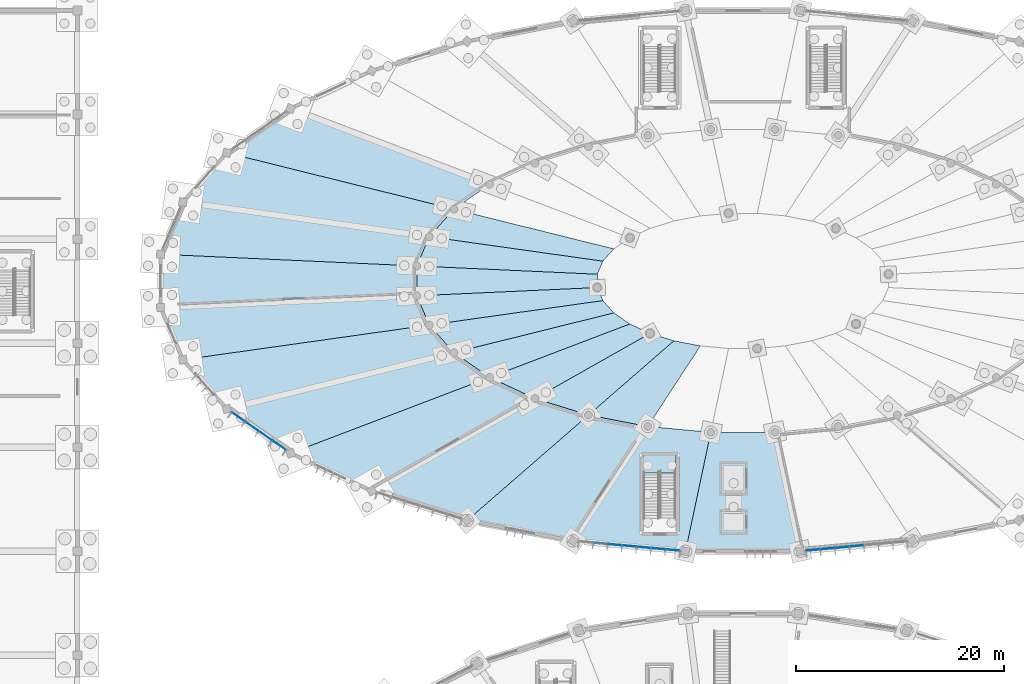
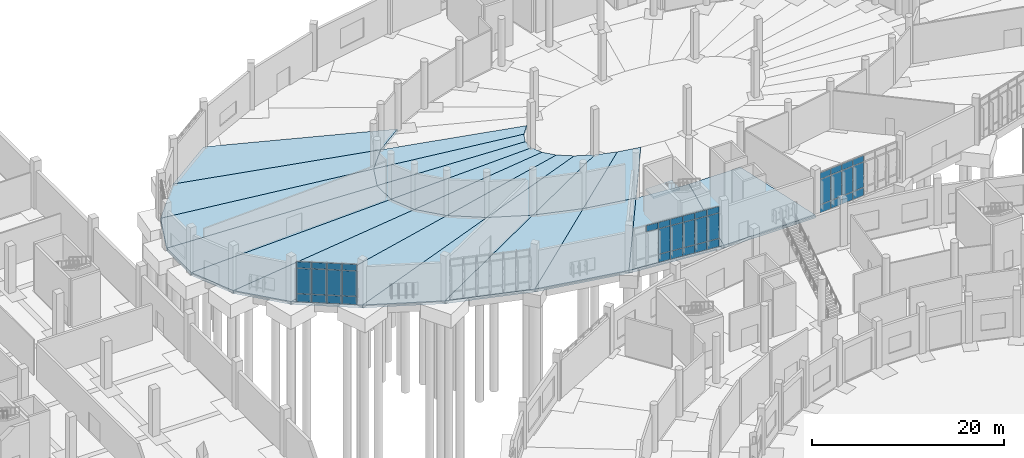
# One storey, part 61 of 140: 40 plates, 22 slabs, 4 elements without a shape of their own.
"""IFC4 building model written with IfcOpenShell, lengths in metres."""

from ifc_helpers import new_model, si_unit, direction, frame, origin, origin_2d, place, context, subcontext, project, spatial, polyline, rectangle, outline, extrude, material, layer, layer_set, type_object, element, aggregate, save


model = new_model("IFC4")

# Units and contexts
model_context = context("Model", 3, precision=1e-05, world=origin(), true_north=direction((0.0, 1.0)))
body_context = subcontext(model_context, "Body", "Model", "MODEL_VIEW")
ifc_project = project(units=[si_unit("LENGTHUNIT", "METRE"), si_unit("AREAUNIT", "SQUARE_METRE"), si_unit("VOLUMEUNIT", "CUBIC_METRE"), si_unit("PLANEANGLEUNIT", "RADIAN"), si_unit("MASSUNIT", "GRAM", prefix="KILO")], contexts=[model_context])

# Site, building, storey
site_placement = place(None, origin())
site = spatial("IfcSite", under=ifc_project, at=site_placement, CompositionType="ELEMENT")
building_placement = place(site_placement, origin())
building = spatial("IfcBuilding", under=site, at=building_placement, Name="Corvandel Quay Wholesale Market", CompositionType="ELEMENT")
storey_placement = place(building_placement, origin())
storey = spatial("IfcBuildingStorey", under=building, at=storey_placement, Name="L00", CompositionType="ELEMENT", Elevation=0.0)

# Curtain wall, plates
ifc_material_1 = material(Name="Bronze anodised aluminium and low-E insulated glazing", Category="aluminium")
ifc_layer_1 = layer(ifc_material_1, 0.162109375)
ifc_layer_set_1 = layer_set([ifc_layer_1], Name="Bronze anodised aluminium and low-E insulated glazing")
curtain_wall_type_1 = type_object("IfcCurtainWallType", Name="Stick Curtain Wall System CW21 H4890", PredefinedType="NOTDEFINED", material=ifc_layer_set_1)
curtain_wall_1_placement = place(storey_placement, origin())
curtain_wall_1 = element("IfcCurtainWall", 1, at=curtain_wall_1_placement, inside=storey, type_object=curtain_wall_type_1, Name="Curtain Wall CW-0106", PredefinedType="NOTDEFINED")
ifc_material_2 = material(Name="Solar-control low-E insulated glazing", Category="glass")
ifc_layer_2 = layer(ifc_material_2, 0.033935546875)
ifc_layer_set_2 = layer_set([ifc_layer_2], Name="Solar-control low-E insulated glazing")
plate_type_1 = type_object("IfcPlateType", Name="Acoustic Laminated Vision Panel PN02 34mm", PredefinedType="CURTAIN_PANEL", material=ifc_layer_set_2)
plate_1_placement = place(storey_placement, frame((65.4716796875, 102.920654296875, 0.0322265625), z_axis=(0.0, 0.0, 1.0), x_axis=(-0.821248804935, 0.570570241419, 0.0)))
plate_1 = element("IfcPlate", 2, at=plate_1_placement, type_object=plate_type_1, Name="Glazing Panel CW-0106-P00-0", PredefinedType="CURTAIN_PANEL", context=body_context, shape_type="SweptSolid", body=[
    extrude(rectangle(XDim=1.53076171875, YDim=0.033935546875, at=origin_2d()), origin(), (0.0, 0.0, 1.0), 0.985107421875),
])
plate_2_placement = place(storey_placement, frame((65.4716796875, 102.920654296875, 1.08251953125), z_axis=(0.0, 0.0, 1.0), x_axis=(-0.821248804935, 0.570570241419, 0.0)))
plate_2 = element("IfcPlate", 3, at=plate_2_placement, type_object=plate_type_1, Name="Glazing Panel CW-0106-P00-1", PredefinedType="CURTAIN_PANEL", context=body_context, shape_type="SweptSolid", body=[
    extrude(rectangle(XDim=1.53076171875, YDim=0.033935546875, at=origin_2d()), origin(), (0.0, 0.0, 1.0), 3.18505859375),
])
plate_3_placement = place(storey_placement, frame((66.7822265625, 102.01025390625, 0.0322265625), z_axis=(0.0, 0.0, 1.0), x_axis=(-0.821248804935, 0.570570241419, 0.0)))
plate_3 = element("IfcPlate", 4, at=plate_3_placement, type_object=plate_type_1, Name="Glazing Panel CW-0106-P01-0", PredefinedType="CURTAIN_PANEL", context=body_context, shape_type="SweptSolid", body=[
    extrude(rectangle(XDim=1.53076171875, YDim=0.033935546875, at=origin_2d()), origin(), (0.0, 0.0, 1.0), 0.985107421875),
])
plate_4_placement = place(storey_placement, frame((66.7822265625, 102.01025390625, 1.08251953125), z_axis=(0.0, 0.0, 1.0), x_axis=(-0.821248804935, 0.570570241419, 0.0)))
plate_4 = element("IfcPlate", 5, at=plate_4_placement, type_object=plate_type_1, Name="Glazing Panel CW-0106-P01-1", PredefinedType="CURTAIN_PANEL", context=body_context, shape_type="SweptSolid", body=[
    extrude(rectangle(XDim=1.53076171875, YDim=0.033935546875, at=origin_2d()), origin(), (0.0, 0.0, 1.0), 3.18505859375),
])
plate_5_placement = place(storey_placement, frame((68.0927734375, 101.099853515625, 0.0322265625), z_axis=(0.0, 0.0, 1.0), x_axis=(-0.821248804935, 0.570570241419, 0.0)))
plate_5 = element("IfcPlate", 6, at=plate_5_placement, type_object=plate_type_1, Name="Glazing Panel CW-0106-P02-0", PredefinedType="CURTAIN_PANEL", context=body_context, shape_type="SweptSolid", body=[
    extrude(rectangle(XDim=1.53076171875, YDim=0.033935546875, at=origin_2d()), origin(), (0.0, 0.0, 1.0), 0.985107421875),
])
plate_6_placement = place(storey_placement, frame((68.0927734375, 101.099853515625, 1.08251953125), z_axis=(0.0, 0.0, 1.0), x_axis=(-0.821248804935, 0.570570241419, 0.0)))
plate_6 = element("IfcPlate", 7, at=plate_6_placement, type_object=plate_type_1, Name="Glazing Panel CW-0106-P02-1", PredefinedType="CURTAIN_PANEL", context=body_context, shape_type="SweptSolid", body=[
    extrude(rectangle(XDim=1.53076171875, YDim=0.033935546875, at=origin_2d()), origin(), (0.0, 0.0, 1.0), 3.18505859375),
])
plate_7_placement = place(storey_placement, frame((69.4033203125, 100.189208984375, 0.0322265625), z_axis=(0.0, 0.0, 1.0), x_axis=(-0.821248804935, 0.570570241419, 0.0)))
plate_7 = element("IfcPlate", 8, at=plate_7_placement, type_object=plate_type_1, Name="Glazing Panel CW-0106-P03-0", PredefinedType="CURTAIN_PANEL", context=body_context, shape_type="SweptSolid", body=[
    extrude(rectangle(XDim=1.53076171875, YDim=0.033935546875, at=origin_2d()), origin(), (0.0, 0.0, 1.0), 0.985107421875),
])
plate_8_placement = place(storey_placement, frame((69.4033203125, 100.189208984375, 1.08251953125), z_axis=(0.0, 0.0, 1.0), x_axis=(-0.821248804935, 0.570570241419, 0.0)))
plate_8 = element("IfcPlate", 9, at=plate_8_placement, type_object=plate_type_1, Name="Glazing Panel CW-0106-P03-1", PredefinedType="CURTAIN_PANEL", context=body_context, shape_type="SweptSolid", body=[
    extrude(rectangle(XDim=1.53076171875, YDim=0.033935546875, at=origin_2d()), origin(), (0.0, 0.0, 1.0), 3.18505859375),
])

ifc_layer_3 = layer(ifc_material_1, 0.14990234375)
ifc_layer_set_3 = layer_set([ifc_layer_3], Name="Bronze anodised aluminium and low-E insulated glazing")
curtain_wall_type_2 = type_object("IfcCurtainWallType", Name="Stick Curtain Wall System CW25 H5250", PredefinedType="NOTDEFINED", material=ifc_layer_set_3)
curtain_wall_2_placement = place(storey_placement, origin())
curtain_wall_2 = element("IfcCurtainWall", 10, at=curtain_wall_2_placement, inside=storey, type_object=curtain_wall_type_2, Name="Curtain Wall CW-0112", PredefinedType="NOTDEFINED")
plate_9_placement = place(storey_placement, frame((101.6826171875, 90.6279296875, 0.0322265625), z_axis=(0.0, 0.0, 1.0), x_axis=(-0.995756880939, 0.092023008338, 0.0)))
plate_9 = element("IfcPlate", 11, at=plate_9_placement, type_object=plate_type_1, Name="Glazing Panel CW-0112-P02-0", PredefinedType="CURTAIN_PANEL", context=body_context, shape_type="SweptSolid", body=[
    extrude(rectangle(XDim=1.3330078125, YDim=0.033935546875, at=origin_2d()), origin(), (0.0, 0.0, 1.0), 0.985107421875),
])
plate_10_placement = place(storey_placement, frame((101.6826171875, 90.6279296875, 1.08251953125), z_axis=(0.0, 0.0, 1.0), x_axis=(-0.995756880939, 0.092023008338, 0.0)))
plate_10 = element("IfcPlate", 12, at=plate_10_placement, type_object=plate_type_1, Name="Glazing Panel CW-0112-P02-1", PredefinedType="CURTAIN_PANEL", context=body_context, shape_type="SweptSolid", body=[
    extrude(rectangle(XDim=1.3330078125, YDim=0.033935546875, at=origin_2d()), origin(), (0.0, 0.0, 1.0), 3.18505859375),
])
plate_11_placement = place(storey_placement, frame((103.074462890625, 90.49951171875, 0.0322265625), z_axis=(0.0, 0.0, 1.0), x_axis=(-0.995756880939, 0.092023008338, 0.0)))
plate_11 = element("IfcPlate", 13, at=plate_11_placement, type_object=plate_type_1, Name="Glazing Panel CW-0112-P03-0", PredefinedType="CURTAIN_PANEL", context=body_context, shape_type="SweptSolid", body=[
    extrude(rectangle(XDim=1.3330078125, YDim=0.033935546875, at=origin_2d()), origin(), (0.0, 0.0, 1.0), 0.985107421875),
])
plate_12_placement = place(storey_placement, frame((103.074462890625, 90.49951171875, 1.08251953125), z_axis=(0.0, 0.0, 1.0), x_axis=(-0.995756880939, 0.092023008338, 0.0)))
plate_12 = element("IfcPlate", 14, at=plate_12_placement, type_object=plate_type_1, Name="Glazing Panel CW-0112-P03-1", PredefinedType="CURTAIN_PANEL", context=body_context, shape_type="SweptSolid", body=[
    extrude(rectangle(XDim=1.3330078125, YDim=0.033935546875, at=origin_2d()), origin(), (0.0, 0.0, 1.0), 3.18505859375),
])
plate_13_placement = place(storey_placement, frame((104.46630859375, 90.37109375, 0.0322265625), z_axis=(0.0, 0.0, 1.0), x_axis=(-0.995756880939, 0.092023008338, 0.0)))
plate_13 = element("IfcPlate", 15, at=plate_13_placement, type_object=plate_type_1, Name="Glazing Panel CW-0112-P04-0", PredefinedType="CURTAIN_PANEL", context=body_context, shape_type="SweptSolid", body=[
    extrude(rectangle(XDim=1.3330078125, YDim=0.033935546875, at=origin_2d()), origin(), (0.0, 0.0, 1.0), 0.985107421875),
])
plate_14_placement = place(storey_placement, frame((104.46630859375, 90.37109375, 1.08251953125), z_axis=(0.0, 0.0, 1.0), x_axis=(-0.995756880939, 0.092023008338, 0.0)))
plate_14 = element("IfcPlate", 16, at=plate_14_placement, type_object=plate_type_1, Name="Glazing Panel CW-0112-P04-1", PredefinedType="CURTAIN_PANEL", context=body_context, shape_type="SweptSolid", body=[
    extrude(rectangle(XDim=1.3330078125, YDim=0.033935546875, at=origin_2d()), origin(), (0.0, 0.0, 1.0), 3.18505859375),
])
plate_15_placement = place(storey_placement, frame((105.8583984375, 90.242431640625, 0.0322265625), z_axis=(0.0, 0.0, 1.0), x_axis=(-0.995756880939, 0.092023008338, 0.0)))
plate_15 = element("IfcPlate", 17, at=plate_15_placement, type_object=plate_type_1, Name="Glazing Panel CW-0112-P05-0", PredefinedType="CURTAIN_PANEL", context=body_context, shape_type="SweptSolid", body=[
    extrude(rectangle(XDim=1.3330078125, YDim=0.033935546875, at=origin_2d()), origin(), (0.0, 0.0, 1.0), 0.985107421875),
])
plate_16_placement = place(storey_placement, frame((105.8583984375, 90.242431640625, 1.08251953125), z_axis=(0.0, 0.0, 1.0), x_axis=(-0.995756880939, 0.092023008338, 0.0)))
plate_16 = element("IfcPlate", 18, at=plate_16_placement, type_object=plate_type_1, Name="Glazing Panel CW-0112-P05-1", PredefinedType="CURTAIN_PANEL", context=body_context, shape_type="SweptSolid", body=[
    extrude(rectangle(XDim=1.3330078125, YDim=0.033935546875, at=origin_2d()), origin(), (0.0, 0.0, 1.0), 3.18505859375),
])
plate_17_placement = place(storey_placement, frame((107.250244140625, 90.114013671875, 0.0322265625), z_axis=(0.0, 0.0, 1.0), x_axis=(-0.995756880939, 0.092023008338, 0.0)))
plate_17 = element("IfcPlate", 19, at=plate_17_placement, type_object=plate_type_1, Name="Glazing Panel CW-0112-P06-0", PredefinedType="CURTAIN_PANEL", context=body_context, shape_type="SweptSolid", body=[
    extrude(rectangle(XDim=1.3330078125, YDim=0.033935546875, at=origin_2d()), origin(), (0.0, 0.0, 1.0), 0.985107421875),
])
plate_18_placement = place(storey_placement, frame((107.250244140625, 90.114013671875, 1.08251953125), z_axis=(0.0, 0.0, 1.0), x_axis=(-0.995756880939, 0.092023008338, 0.0)))
plate_18 = element("IfcPlate", 20, at=plate_18_placement, type_object=plate_type_1, Name="Glazing Panel CW-0112-P06-1", PredefinedType="CURTAIN_PANEL", context=body_context, shape_type="SweptSolid", body=[
    extrude(rectangle(XDim=1.3330078125, YDim=0.033935546875, at=origin_2d()), origin(), (0.0, 0.0, 1.0), 3.18505859375),
])

ifc_layer_4 = layer(ifc_material_1, 0.174072265625)
ifc_layer_set_4 = layer_set([ifc_layer_4], Name="Bronze anodised aluminium and low-E insulated glazing")
curtain_wall_type_3 = type_object("IfcCurtainWallType", Name="Stick Curtain Wall System CW27 H5430", PredefinedType="NOTDEFINED", material=ifc_layer_set_4)
curtain_wall_3_placement = place(storey_placement, origin())
curtain_wall_3 = element("IfcCurtainWall", 21, at=curtain_wall_3_placement, inside=storey, type_object=curtain_wall_type_3, Name="Curtain Wall CW-0116", PredefinedType="NOTDEFINED")
plate_19_placement = place(storey_placement, frame((120.749755859375, 90.114013671875, 0.0322265625), z_axis=(0.0, 0.0, 1.0), x_axis=(0.995756880939, 0.092023008338, 0.0)))
plate_19 = element("IfcPlate", 22, at=plate_19_placement, type_object=plate_type_1, Name="Glazing Panel CW-0116-P00-0", PredefinedType="CURTAIN_PANEL", context=body_context, shape_type="SweptSolid", body=[
    extrude(rectangle(XDim=1.3330078125, YDim=0.033935546875, at=origin_2d()), origin(), (0.0, 0.0, 1.0), 0.985107421875),
])
plate_20_placement = place(storey_placement, frame((120.749755859375, 90.114013671875, 1.08251953125), z_axis=(0.0, 0.0, 1.0), x_axis=(0.995756880939, 0.092023008338, 0.0)))
plate_20 = element("IfcPlate", 23, at=plate_20_placement, type_object=plate_type_1, Name="Glazing Panel CW-0116-P00-1", PredefinedType="CURTAIN_PANEL", context=body_context, shape_type="SweptSolid", body=[
    extrude(rectangle(XDim=1.3330078125, YDim=0.033935546875, at=origin_2d()), origin(), (0.0, 0.0, 1.0), 3.18505859375),
])
plate_21_placement = place(storey_placement, frame((122.1416015625, 90.242431640625, 0.0322265625), z_axis=(0.0, 0.0, 1.0), x_axis=(0.995756880939, 0.092023008338, 0.0)))
plate_21 = element("IfcPlate", 24, at=plate_21_placement, type_object=plate_type_1, Name="Glazing Panel CW-0116-P01-0", PredefinedType="CURTAIN_PANEL", context=body_context, shape_type="SweptSolid", body=[
    extrude(rectangle(XDim=1.3330078125, YDim=0.033935546875, at=origin_2d()), origin(), (0.0, 0.0, 1.0), 0.985107421875),
])
plate_22_placement = place(storey_placement, frame((122.1416015625, 90.242431640625, 1.08251953125), z_axis=(0.0, 0.0, 1.0), x_axis=(0.995756880939, 0.092023008338, 0.0)))
plate_22 = element("IfcPlate", 25, at=plate_22_placement, type_object=plate_type_1, Name="Glazing Panel CW-0116-P01-1", PredefinedType="CURTAIN_PANEL", context=body_context, shape_type="SweptSolid", body=[
    extrude(rectangle(XDim=1.3330078125, YDim=0.033935546875, at=origin_2d()), origin(), (0.0, 0.0, 1.0), 3.18505859375),
])
plate_23_placement = place(storey_placement, frame((123.53369140625, 90.37109375, 0.0322265625), z_axis=(0.0, 0.0, 1.0), x_axis=(0.995756880939, 0.092023008338, 0.0)))
plate_23 = element("IfcPlate", 26, at=plate_23_placement, type_object=plate_type_1, Name="Glazing Panel CW-0116-P02-0", PredefinedType="CURTAIN_PANEL", context=body_context, shape_type="SweptSolid", body=[
    extrude(rectangle(XDim=1.3330078125, YDim=0.033935546875, at=origin_2d()), origin(), (0.0, 0.0, 1.0), 0.985107421875),
])
plate_24_placement = place(storey_placement, frame((123.53369140625, 90.37109375, 1.08251953125), z_axis=(0.0, 0.0, 1.0), x_axis=(0.995756880939, 0.092023008338, 0.0)))
plate_24 = element("IfcPlate", 27, at=plate_24_placement, type_object=plate_type_1, Name="Glazing Panel CW-0116-P02-1", PredefinedType="CURTAIN_PANEL", context=body_context, shape_type="SweptSolid", body=[
    extrude(rectangle(XDim=1.3330078125, YDim=0.033935546875, at=origin_2d()), origin(), (0.0, 0.0, 1.0), 3.18505859375),
])
plate_25_placement = place(storey_placement, frame((124.925537109375, 90.49951171875, 0.0322265625), z_axis=(0.0, 0.0, 1.0), x_axis=(0.995756880939, 0.092023008338, 0.0)))
plate_25 = element("IfcPlate", 28, at=plate_25_placement, type_object=plate_type_1, Name="Glazing Panel CW-0116-P03-0", PredefinedType="CURTAIN_PANEL", context=body_context, shape_type="SweptSolid", body=[
    extrude(rectangle(XDim=1.3330078125, YDim=0.033935546875, at=origin_2d()), origin(), (0.0, 0.0, 1.0), 0.985107421875),
])
plate_26_placement = place(storey_placement, frame((124.925537109375, 90.49951171875, 1.08251953125), z_axis=(0.0, 0.0, 1.0), x_axis=(0.995756880939, 0.092023008338, 0.0)))
plate_26 = element("IfcPlate", 29, at=plate_26_placement, type_object=plate_type_1, Name="Glazing Panel CW-0116-P03-1", PredefinedType="CURTAIN_PANEL", context=body_context, shape_type="SweptSolid", body=[
    extrude(rectangle(XDim=1.3330078125, YDim=0.033935546875, at=origin_2d()), origin(), (0.0, 0.0, 1.0), 3.18505859375),
])

# Plate
ifc_layer_5 = layer(ifc_material_2, 0.0400390625)
ifc_layer_set_5 = layer_set([ifc_layer_5], Name="Solar-control low-E insulated glazing")
plate_type_2 = type_object("IfcPlateType", Name="Ceramic Fritted Spandrel Panel PN03 40mm", PredefinedType="CURTAIN_PANEL", material=ifc_layer_set_5)
plate_27_placement = place(storey_placement, frame((65.4716796875, 102.920654296875, 4.33251953125), z_axis=(0.0, 0.0, 1.0), x_axis=(-0.821248804935, 0.570570241419, 0.0)))
plate_27 = element("IfcPlate", 30, at=plate_27_placement, type_object=plate_type_2, Name="Glazing Panel CW-0106-P00-2", PredefinedType="CURTAIN_PANEL", context=body_context, shape_type="SweptSolid", body=[
    extrude(rectangle(XDim=1.53076171875, YDim=0.0400390625, at=origin_2d()), origin(), (0.0, 0.0, 1.0), 0.784912109375),
])

plate_28_placement = place(storey_placement, frame((66.7822265625, 102.01025390625, 4.33251953125), z_axis=(0.0, 0.0, 1.0), x_axis=(-0.821248804935, 0.570570241419, 0.0)))
plate_28 = element("IfcPlate", 31, at=plate_28_placement, type_object=plate_type_2, Name="Glazing Panel CW-0106-P01-2", PredefinedType="CURTAIN_PANEL", context=body_context, shape_type="SweptSolid", body=[
    extrude(rectangle(XDim=1.53076171875, YDim=0.0400390625, at=origin_2d()), origin(), (0.0, 0.0, 1.0), 0.784912109375),
])

plate_29_placement = place(storey_placement, frame((68.0927734375, 101.099853515625, 4.33251953125), z_axis=(0.0, 0.0, 1.0), x_axis=(-0.821248804935, 0.570570241419, 0.0)))
plate_29 = element("IfcPlate", 32, at=plate_29_placement, type_object=plate_type_2, Name="Glazing Panel CW-0106-P02-2", PredefinedType="CURTAIN_PANEL", context=body_context, shape_type="SweptSolid", body=[
    extrude(rectangle(XDim=1.53076171875, YDim=0.0400390625, at=origin_2d()), origin(), (0.0, 0.0, 1.0), 0.784912109375),
])

plate_30_placement = place(storey_placement, frame((69.4033203125, 100.189208984375, 4.33251953125), z_axis=(0.0, 0.0, 1.0), x_axis=(-0.821248804935, 0.570570241419, 0.0)))
plate_30 = element("IfcPlate", 33, at=plate_30_placement, type_object=plate_type_2, Name="Glazing Panel CW-0106-P03-2", PredefinedType="CURTAIN_PANEL", context=body_context, shape_type="SweptSolid", body=[
    extrude(rectangle(XDim=1.53076171875, YDim=0.0400390625, at=origin_2d()), origin(), (0.0, 0.0, 1.0), 0.784912109375),
])

aggregate(curtain_wall_1, [plate_1, plate_2, plate_27, plate_3, plate_4, plate_28, plate_5, plate_6, plate_29, plate_7, plate_8, plate_30])

plate_31_placement = place(storey_placement, frame((100.29052734375, 90.756591796875, 4.33251953125), z_axis=(0.0, 0.0, 1.0), x_axis=(-0.995756880939, 0.092023008338, 0.0)))
plate_31 = element("IfcPlate", 34, at=plate_31_placement, type_object=plate_type_2, Name="Glazing Panel CW-0112-P01-2", PredefinedType="CURTAIN_PANEL", context=body_context, shape_type="SweptSolid", body=[
    extrude(rectangle(XDim=1.3330078125, YDim=0.0400390625, at=origin_2d()), origin(), (0.0, 0.0, 1.0), 0.784912109375),
])

plate_32_placement = place(storey_placement, frame((101.6826171875, 90.6279296875, 4.33251953125), z_axis=(0.0, 0.0, 1.0), x_axis=(-0.995756880939, 0.092023008338, 0.0)))
plate_32 = element("IfcPlate", 35, at=plate_32_placement, type_object=plate_type_2, Name="Glazing Panel CW-0112-P02-2", PredefinedType="CURTAIN_PANEL", context=body_context, shape_type="SweptSolid", body=[
    extrude(rectangle(XDim=1.3330078125, YDim=0.0400390625, at=origin_2d()), origin(), (0.0, 0.0, 1.0), 0.784912109375),
])

plate_33_placement = place(storey_placement, frame((103.074462890625, 90.49951171875, 4.33251953125), z_axis=(0.0, 0.0, 1.0), x_axis=(-0.995756880939, 0.092023008338, 0.0)))
plate_33 = element("IfcPlate", 36, at=plate_33_placement, type_object=plate_type_2, Name="Glazing Panel CW-0112-P03-2", PredefinedType="CURTAIN_PANEL", context=body_context, shape_type="SweptSolid", body=[
    extrude(rectangle(XDim=1.3330078125, YDim=0.0400390625, at=origin_2d()), origin(), (0.0, 0.0, 1.0), 0.784912109375),
])

plate_34_placement = place(storey_placement, frame((104.46630859375, 90.37109375, 4.33251953125), z_axis=(0.0, 0.0, 1.0), x_axis=(-0.995756880939, 0.092023008338, 0.0)))
plate_34 = element("IfcPlate", 37, at=plate_34_placement, type_object=plate_type_2, Name="Glazing Panel CW-0112-P04-2", PredefinedType="CURTAIN_PANEL", context=body_context, shape_type="SweptSolid", body=[
    extrude(rectangle(XDim=1.3330078125, YDim=0.0400390625, at=origin_2d()), origin(), (0.0, 0.0, 1.0), 0.784912109375),
])

plate_35_placement = place(storey_placement, frame((105.8583984375, 90.242431640625, 4.33251953125), z_axis=(0.0, 0.0, 1.0), x_axis=(-0.995756880939, 0.092023008338, 0.0)))
plate_35 = element("IfcPlate", 38, at=plate_35_placement, type_object=plate_type_2, Name="Glazing Panel CW-0112-P05-2", PredefinedType="CURTAIN_PANEL", context=body_context, shape_type="SweptSolid", body=[
    extrude(rectangle(XDim=1.3330078125, YDim=0.0400390625, at=origin_2d()), origin(), (0.0, 0.0, 1.0), 0.784912109375),
])

plate_36_placement = place(storey_placement, frame((107.250244140625, 90.114013671875, 4.33251953125), z_axis=(0.0, 0.0, 1.0), x_axis=(-0.995756880939, 0.092023008338, 0.0)))
plate_36 = element("IfcPlate", 39, at=plate_36_placement, type_object=plate_type_2, Name="Glazing Panel CW-0112-P06-2", PredefinedType="CURTAIN_PANEL", context=body_context, shape_type="SweptSolid", body=[
    extrude(rectangle(XDim=1.3330078125, YDim=0.0400390625, at=origin_2d()), origin(), (0.0, 0.0, 1.0), 0.784912109375),
])

aggregate(curtain_wall_2, [plate_31, plate_9, plate_10, plate_32, plate_11, plate_12, plate_33, plate_13, plate_14, plate_34, plate_15, plate_16, plate_35, plate_17, plate_18, plate_36])

plate_37_placement = place(storey_placement, frame((120.749755859375, 90.114013671875, 4.33251953125), z_axis=(0.0, 0.0, 1.0), x_axis=(0.995756880939, 0.092023008338, 0.0)))
plate_37 = element("IfcPlate", 40, at=plate_37_placement, type_object=plate_type_2, Name="Glazing Panel CW-0116-P00-2", PredefinedType="CURTAIN_PANEL", context=body_context, shape_type="SweptSolid", body=[
    extrude(rectangle(XDim=1.3330078125, YDim=0.0400390625, at=origin_2d()), origin(), (0.0, 0.0, 1.0), 0.784912109375),
])

plate_38_placement = place(storey_placement, frame((122.1416015625, 90.242431640625, 4.33251953125), z_axis=(0.0, 0.0, 1.0), x_axis=(0.995756880939, 0.092023008338, 0.0)))
plate_38 = element("IfcPlate", 41, at=plate_38_placement, type_object=plate_type_2, Name="Glazing Panel CW-0116-P01-2", PredefinedType="CURTAIN_PANEL", context=body_context, shape_type="SweptSolid", body=[
    extrude(rectangle(XDim=1.3330078125, YDim=0.0400390625, at=origin_2d()), origin(), (0.0, 0.0, 1.0), 0.784912109375),
])

plate_39_placement = place(storey_placement, frame((123.53369140625, 90.37109375, 4.33251953125), z_axis=(0.0, 0.0, 1.0), x_axis=(0.995756880939, 0.092023008338, 0.0)))
plate_39 = element("IfcPlate", 42, at=plate_39_placement, type_object=plate_type_2, Name="Glazing Panel CW-0116-P02-2", PredefinedType="CURTAIN_PANEL", context=body_context, shape_type="SweptSolid", body=[
    extrude(rectangle(XDim=1.3330078125, YDim=0.0400390625, at=origin_2d()), origin(), (0.0, 0.0, 1.0), 0.784912109375),
])

plate_40_placement = place(storey_placement, frame((124.925537109375, 90.49951171875, 4.33251953125), z_axis=(0.0, 0.0, 1.0), x_axis=(0.995756880939, 0.092023008338, 0.0)))
plate_40 = element("IfcPlate", 43, at=plate_40_placement, type_object=plate_type_2, Name="Glazing Panel CW-0116-P03-2", PredefinedType="CURTAIN_PANEL", context=body_context, shape_type="SweptSolid", body=[
    extrude(rectangle(XDim=1.3330078125, YDim=0.0400390625, at=origin_2d()), origin(), (0.0, 0.0, 1.0), 0.784912109375),
])

aggregate(curtain_wall_3, [plate_19, plate_20, plate_37, plate_21, plate_22, plate_38, plate_23, plate_24, plate_39, plate_25, plate_26, plate_40])

# Slabs
ifc_material_3 = material(Name="Concrete C40/50", Category="concrete")
ifc_layer_6 = layer(ifc_material_3, 0.3798828125)
ifc_layer_set_6 = layer_set([ifc_layer_6], Name="Concrete C40/50")
slab_type_1 = type_object("IfcSlabType", Name="Ground Bearing Fish Hall Slab 380", PredefinedType="BASESLAB", material=ifc_layer_set_6)
slab_1_placement = place(storey_placement, frame((0.0, 0.0, -0.3798828125)))
element("IfcSlab", 44, at=slab_1_placement, inside=storey, type_object=slab_type_1, Name="Slab SLB-0270", PredefinedType="BASESLAB", context=body_context, shape_type="SweptSolid", body=[
    extrude(outline(polyline([(70.501953125, 132.573974609375), (64.373046875, 128.31591796875), (86.208984375, 122.89697265625), (89.64111328125, 125.281005859375), (70.501953125, 132.573974609375)])), origin(), (0.0, 0.0, 1.0), 0.3798828125),
])
slab_2_placement = place(storey_placement, frame((0.0, 0.0, -0.3798828125)))
element("IfcSlab", 45, at=slab_2_placement, inside=storey, type_object=slab_type_1, Name="Slab SLB-0276", PredefinedType="BASESLAB", context=body_context, shape_type="SweptSolid", body=[
    extrude(outline(polyline([(64.373046875, 128.31591796875), (60.152099609375, 123.583984375), (83.844970703125, 120.2470703125), (86.208984375, 122.89697265625), (64.373046875, 128.31591796875)])), origin(), (0.0, 0.0, 1.0), 0.3798828125),
])
slab_3_placement = place(storey_placement, frame((0.0, 0.0, -0.3798828125)))
element("IfcSlab", 46, at=slab_3_placement, inside=storey, type_object=slab_type_1, Name="Slab SLB-0277", PredefinedType="BASESLAB", context=body_context, shape_type="SweptSolid", body=[
    extrude(outline(polyline([(86.208984375, 122.89697265625), (83.844970703125, 120.2470703125), (100.5380859375, 117.89599609375), (101.593017578125, 119.0791015625), (86.208984375, 122.89697265625)])), origin(), (0.0, 0.0, 1.0), 0.3798828125),
])
slab_4_placement = place(storey_placement, frame((0.0, 0.0, -0.3798828125)))
element("IfcSlab", 47, at=slab_4_placement, inside=storey, type_object=slab_type_1, Name="Slab SLB-0282", PredefinedType="BASESLAB", context=body_context, shape_type="SweptSolid", body=[
    extrude(outline(polyline([(60.152099609375, 123.583984375), (58.0, 118.56103515625), (82.639892578125, 117.43408203125), (83.844970703125, 120.2470703125), (60.152099609375, 123.583984375)])), origin(), (0.0, 0.0, 1.0), 0.3798828125),
])
slab_5_placement = place(storey_placement, frame((0.0, 0.0, -0.3798828125)))
element("IfcSlab", 48, at=slab_5_placement, inside=storey, type_object=slab_type_1, Name="Slab SLB-0283", PredefinedType="BASESLAB", context=body_context, shape_type="SweptSolid", body=[
    extrude(outline(polyline([(83.844970703125, 120.2470703125), (82.639892578125, 117.43408203125), (100.0, 116.639892578125), (100.5380859375, 117.89599609375), (83.844970703125, 120.2470703125)])), origin(), (0.0, 0.0, 1.0), 0.3798828125),
])
slab_6_placement = place(storey_placement, frame((0.0, 0.0, -0.3798828125)))
element("IfcSlab", 49, at=slab_6_placement, inside=storey, type_object=slab_type_1, Name="Slab SLB-0288", PredefinedType="BASESLAB", context=body_context, shape_type="SweptSolid", body=[
    extrude(outline(polyline([(58.0, 118.56103515625), (58.0, 113.43896484375), (82.639892578125, 114.56591796875), (82.639892578125, 117.43408203125), (58.0, 118.56103515625)])), origin(), (0.0, 0.0, 1.0), 0.3798828125),
])
slab_7_placement = place(storey_placement, frame((0.0, 0.0, -0.3798828125)))
element("IfcSlab", 50, at=slab_7_placement, inside=storey, type_object=slab_type_1, Name="Slab SLB-0289", PredefinedType="BASESLAB", context=body_context, shape_type="SweptSolid", body=[
    extrude(outline(polyline([(82.639892578125, 117.43408203125), (82.639892578125, 114.56591796875), (100.0, 115.360107421875), (100.0, 116.639892578125), (82.639892578125, 117.43408203125)])), origin(), (0.0, 0.0, 1.0), 0.3798828125),
])
slab_8_placement = place(storey_placement, frame((0.0, 0.0, -0.3798828125)))
element("IfcSlab", 51, at=slab_8_placement, inside=storey, type_object=slab_type_1, Name="Slab SLB-0294", PredefinedType="BASESLAB", context=body_context, shape_type="SweptSolid", body=[
    extrude(outline(polyline([(58.0, 113.43896484375), (60.152099609375, 108.416015625), (83.844970703125, 111.7529296875), (82.639892578125, 114.56591796875), (58.0, 113.43896484375)])), origin(), (0.0, 0.0, 1.0), 0.3798828125),
])
slab_9_placement = place(storey_placement, frame((0.0, 0.0, -0.3798828125)))
element("IfcSlab", 52, at=slab_9_placement, inside=storey, type_object=slab_type_1, Name="Slab SLB-0295", PredefinedType="BASESLAB", context=body_context, shape_type="SweptSolid", body=[
    extrude(outline(polyline([(82.639892578125, 114.56591796875), (83.844970703125, 111.7529296875), (100.5380859375, 114.10400390625), (100.0, 115.360107421875), (82.639892578125, 114.56591796875)])), origin(), (0.0, 0.0, 1.0), 0.3798828125),
])
slab_10_placement = place(storey_placement, frame((0.0, 0.0, -0.3798828125)))
element("IfcSlab", 53, at=slab_10_placement, inside=storey, type_object=slab_type_1, Name="Slab SLB-0300", PredefinedType="BASESLAB", context=body_context, shape_type="SweptSolid", body=[
    extrude(outline(polyline([(60.152099609375, 108.416015625), (64.373046875, 103.68408203125), (86.208984375, 109.10302734375), (83.844970703125, 111.7529296875), (60.152099609375, 108.416015625)])), origin(), (0.0, 0.0, 1.0), 0.3798828125),
])
slab_11_placement = place(storey_placement, frame((0.0, 0.0, -0.3798828125)))
element("IfcSlab", 54, at=slab_11_placement, inside=storey, type_object=slab_type_1, Name="Slab SLB-0301", PredefinedType="BASESLAB", context=body_context, shape_type="SweptSolid", body=[
    extrude(outline(polyline([(83.844970703125, 111.7529296875), (86.208984375, 109.10302734375), (101.593017578125, 112.9208984375), (100.5380859375, 114.10400390625), (83.844970703125, 111.7529296875)])), origin(), (0.0, 0.0, 1.0), 0.3798828125),
])
slab_12_placement = place(storey_placement, frame((0.0, 0.0, -0.3798828125)))
element("IfcSlab", 55, at=slab_12_placement, inside=storey, type_object=slab_type_1, Name="Slab SLB-0306", PredefinedType="BASESLAB", context=body_context, shape_type="SweptSolid", body=[
    extrude(outline(polyline([(64.373046875, 103.68408203125), (70.501953125, 99.426025390625), (89.64111328125, 106.718994140625), (86.208984375, 109.10302734375), (64.373046875, 103.68408203125)])), origin(), (0.0, 0.0, 1.0), 0.3798828125),
])
slab_13_placement = place(storey_placement, frame((0.0, 0.0, -0.3798828125)))
element("IfcSlab", 56, at=slab_13_placement, inside=storey, type_object=slab_type_1, Name="Slab SLB-0307", PredefinedType="BASESLAB", context=body_context, shape_type="SweptSolid", body=[
    extrude(outline(polyline([(86.208984375, 109.10302734375), (89.64111328125, 106.718994140625), (103.125, 111.85595703125), (101.593017578125, 112.9208984375), (86.208984375, 109.10302734375)])), origin(), (0.0, 0.0, 1.0), 0.3798828125),
])
slab_14_placement = place(storey_placement, frame((0.0, 0.0, -0.3798828125)))
element("IfcSlab", 57, at=slab_14_placement, inside=storey, type_object=slab_type_1, Name="Slab SLB-0312", PredefinedType="BASESLAB", context=body_context, shape_type="SweptSolid", body=[
    extrude(outline(polyline([(70.501953125, 99.426025390625), (78.302001953125, 95.803955078125), (94.009033203125, 104.69091796875), (89.64111328125, 106.718994140625), (70.501953125, 99.426025390625)])), origin(), (0.0, 0.0, 1.0), 0.3798828125),
])
slab_15_placement = place(storey_placement, frame((0.0, 0.0, -0.3798828125)))
element("IfcSlab", 58, at=slab_15_placement, inside=storey, type_object=slab_type_1, Name="Slab SLB-0313", PredefinedType="BASESLAB", context=body_context, shape_type="SweptSolid", body=[
    extrude(outline(polyline([(89.64111328125, 106.718994140625), (94.009033203125, 104.69091796875), (105.075927734375, 110.950927734375), (103.125, 111.85595703125), (89.64111328125, 106.718994140625)])), origin(), (0.0, 0.0, 1.0), 0.3798828125),
])
slab_16_placement = place(storey_placement, frame((0.0, 0.0, -0.3798828125)))
element("IfcSlab", 59, at=slab_16_placement, inside=storey, type_object=slab_type_1, Name="Slab SLB-0318", PredefinedType="BASESLAB", context=body_context, shape_type="SweptSolid", body=[
    extrude(outline(polyline([(78.302001953125, 95.803955078125), (87.47412109375, 92.958984375), (99.14501953125, 103.096923828125), (94.009033203125, 104.69091796875), (78.302001953125, 95.803955078125)])), origin(), (0.0, 0.0, 1.0), 0.3798828125),
])
slab_17_placement = place(storey_placement, frame((0.0, 0.0, -0.3798828125)))
element("IfcSlab", 60, at=slab_17_placement, inside=storey, type_object=slab_type_1, Name="Slab SLB-0319", PredefinedType="BASESLAB", context=body_context, shape_type="SweptSolid", body=[
    extrude(outline(polyline([(94.009033203125, 104.69091796875), (99.14501953125, 103.096923828125), (107.368896484375, 110.239990234375), (105.075927734375, 110.950927734375), (94.009033203125, 104.69091796875)])), origin(), (0.0, 0.0, 1.0), 0.3798828125),
])
slab_18_placement = place(storey_placement, frame((0.0, 0.0, -0.3798828125)))
element("IfcSlab", 61, at=slab_18_placement, inside=storey, type_object=slab_type_1, Name="Slab SLB-0324", PredefinedType="BASESLAB", context=body_context, shape_type="SweptSolid", body=[
    extrude(outline(polyline([(87.47412109375, 92.958984375), (97.6650390625, 90.9990234375), (104.85302734375, 102.0), (99.14501953125, 103.096923828125), (87.47412109375, 92.958984375)])), origin(), (0.0, 0.0, 1.0), 0.3798828125),
])
slab_19_placement = place(storey_placement, frame((0.0, 0.0, -0.3798828125)))
element("IfcSlab", 62, at=slab_19_placement, inside=storey, type_object=slab_type_1, Name="Slab SLB-0325", PredefinedType="BASESLAB", context=body_context, shape_type="SweptSolid", body=[
    extrude(outline(polyline([(99.14501953125, 103.096923828125), (104.85302734375, 102.0), (109.916015625, 109.75), (107.368896484375, 110.239990234375), (99.14501953125, 103.096923828125)])), origin(), (0.0, 0.0, 1.0), 0.3798828125),
])
slab_20_placement = place(storey_placement, frame((0.0, 0.0, -0.3798828125)))
element("IfcSlab", 63, at=slab_20_placement, inside=storey, type_object=slab_type_1, Name="Slab SLB-0330", PredefinedType="BASESLAB", context=body_context, shape_type="SweptSolid", body=[
    extrude(outline(polyline([(97.6650390625, 90.9990234375), (108.48388671875, 90.0), (110.910888671875, 101.43994140625), (104.85302734375, 102.0), (97.6650390625, 90.9990234375)])), origin(), (0.0, 0.0, 1.0), 0.3798828125),
])
slab_21_placement = place(storey_placement, frame((0.0, 0.0, -0.3798828125)))
element("IfcSlab", 64, at=slab_21_placement, inside=storey, type_object=slab_type_1, Name="Slab SLB-0336", PredefinedType="BASESLAB", context=body_context, shape_type="SweptSolid", body=[
    extrude(outline(polyline([(108.48388671875, 90.0), (119.51611328125, 90.0), (117.089111328125, 101.43994140625), (110.910888671875, 101.43994140625), (108.48388671875, 90.0)])), origin(), (0.0, 0.0, 1.0), 0.3798828125),
])

# Stair, slab
stair_type = type_object("IfcStairType", Name="Exit Stair Two-Return L00-L01 ST01", PredefinedType="USERDEFINED", material=ifc_material_3)
stair_placement = place(storey_placement, origin())
stair = element("IfcStair", 65, at=stair_placement, inside=storey, type_object=stair_type, Name="Exit Stair STR-009", ObjectType="TWO_RETURN_STAIR", PredefinedType="USERDEFINED")
ifc_layer_7 = layer(ifc_material_3, 0.219970703125)
ifc_layer_set_7 = layer_set([ifc_layer_7], Name="Concrete C40/50")
slab_type_2 = type_object("IfcSlabType", Name="Precast Stair Landing LND01 220", PredefinedType="LANDING", material=ifc_layer_set_7)
slab_22_placement = place(storey_placement, frame((0.0, 0.0, 2.780029296875)))
slab_22 = element("IfcSlab", 66, at=slab_22_placement, type_object=slab_type_2, Name="Stair Landing STR-009-LND", PredefinedType="LANDING", context=body_context, shape_type="SweptSolid", body=[
    extrude(outline(polyline([(104.409912109375, 97.530029296875), (107.590087890625, 97.530029296875), (107.590087890625, 99.239990234375), (104.409912109375, 99.239990234375), (104.409912109375, 97.530029296875)])), origin(), (0.0, 0.0, 1.0), 0.219970703125),
])
aggregate(stair, [slab_22])

save(model, "model.ifc")
